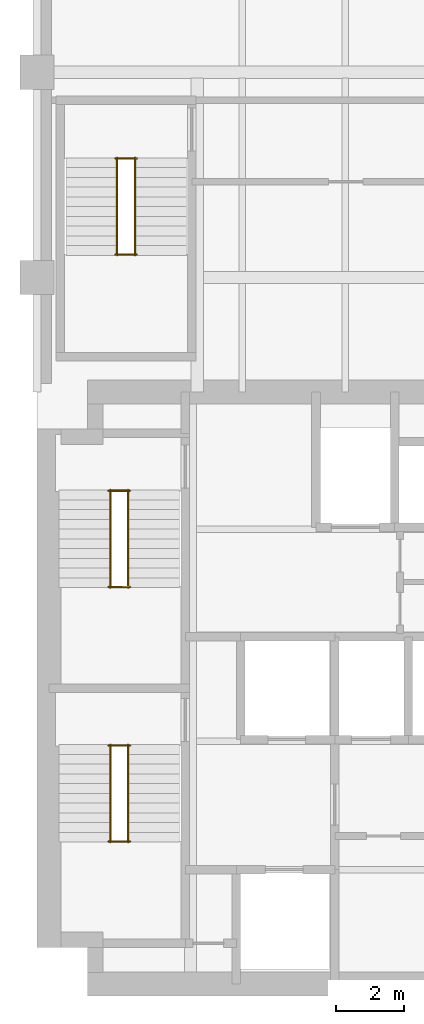
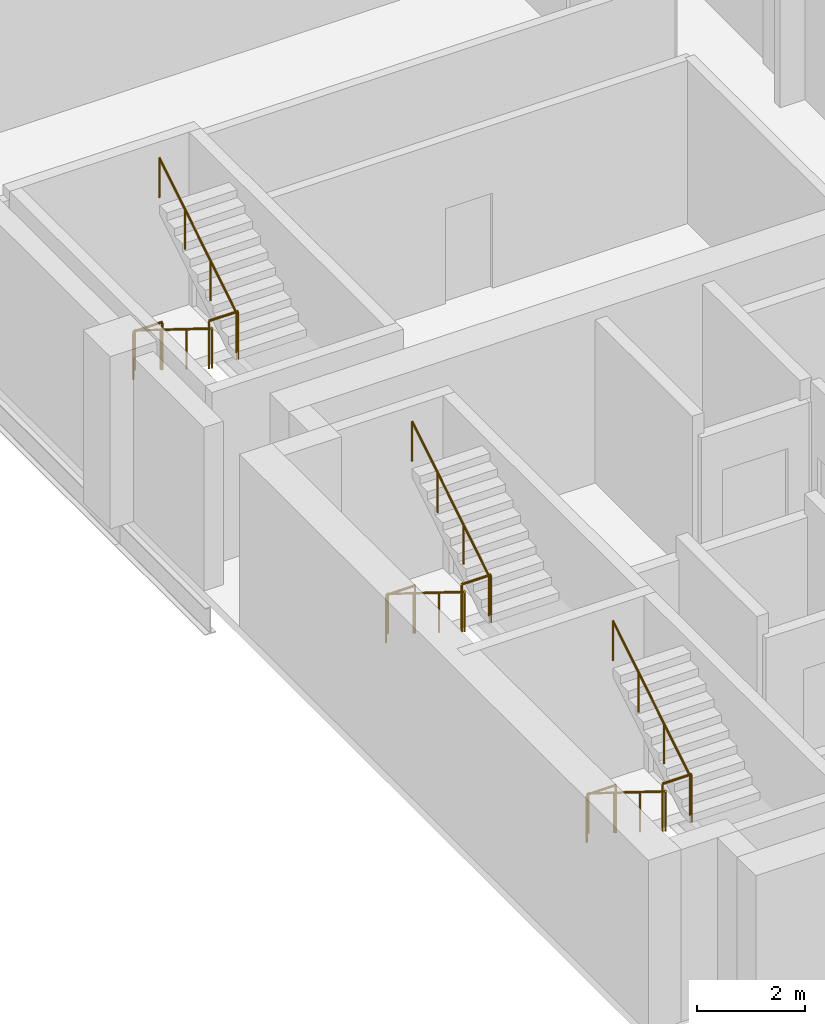
# One storey, part 7 of 7: 12 railings.
"""IFC4 building model written with IfcOpenShell, lengths in metres."""

from ifc_helpers import new_model, si_unit, direction, frame, origin, origin_2d, place, context, subcontext, project, spatial, circle, extrude, material, type_object, element, save


model = new_model("IFC4")

# Units and contexts
model_context = context("Model", 3, precision=1e-05, world=origin(), true_north=direction((0.0, 1.0)))
body_context = subcontext(model_context, "Body", "Model", "MODEL_VIEW")
ifc_project = project(units=[si_unit("LENGTHUNIT", "METRE"), si_unit("AREAUNIT", "SQUARE_METRE"), si_unit("VOLUMEUNIT", "CUBIC_METRE"), si_unit("PLANEANGLEUNIT", "RADIAN"), si_unit("MASSUNIT", "GRAM", prefix="KILO")], contexts=[model_context])

# Site, building, storey
site_placement = place(None, origin())
site = spatial("IfcSite", under=ifc_project, at=site_placement, CompositionType="ELEMENT")
building_placement = place(site_placement, origin())
building = spatial("IfcBuilding", under=site, at=building_placement, Name="Mawjdan Bourse Tower", CompositionType="ELEMENT")
storey_placement = place(building_placement, frame((0.0, 0.0, 136.199951171875)))
storey = spatial("IfcBuildingStorey", under=building, at=storey_placement, Name="L32", CompositionType="ELEMENT", Elevation=136.199951171875)

# Railings
ifc_material_1 = material(Name="Structural Steel S355", Category="steel")
railing_type_1 = type_object("IfcRailingType", Name="RLG-GRD-1100", PredefinedType="GUARDRAIL", material=ifc_material_1)
for number, where, name in (
    (1, (8.090087890625, 7.52001953125, 1.949951171875), "L32 ST1 Landing Guardrail GL-MID"),
    (2, (8.090087890625, 10.330078125, 0.0), "L32 ST1 Landing Guardrail GL-BOT"),
    (3, (8.090087890625, 14.9599609375, 1.949951171875), "L32 ST2 Landing Guardrail GL-MID"),
    (4, (8.090087890625, 17.77001953125, 0.0), "L32 ST2 Landing Guardrail GL-BOT"),
    (5, (8.2900390625, 24.669921875, 1.949951171875), "L32 ST3 Landing Guardrail GL-MID"),
    (6, (8.2900390625, 27.47998046875, 0.0), "L32 ST3 Landing Guardrail GL-BOT"),
):
    element("IfcRailing", number, at=place(storey_placement, frame(where)), inside=storey, type_object=railing_type_1, Name=name, PredefinedType="GUARDRAIL", context=body_context, shape_type="SweptSolid", body=[
        extrude(circle(Radius=0.02490234375, at=origin_2d()), frame((0.0, 0.0, 1.0751953125), z_axis=(1.0, 0.0, 0.0), x_axis=(0.0, 1.0, 0.0)), (0.0, 0.0, 1.0), 0.619873046875),
        extrude(circle(Radius=0.02099609375, at=origin_2d()), origin(), (0.0, 0.0, 1.0), 1.050048828125),
        extrude(circle(Radius=0.02099609375, at=origin_2d()), frame((0.619873046875, 0.0, 0.0)), (0.0, 0.0, 1.0), 1.050048828125),
    ])
ifc_material_2 = material(Name="Brushed Stainless Steel", Category="steel")
railing_type_2 = type_object("IfcRailingType", Name="RLG-HND-920", PredefinedType="HANDRAIL", material=ifc_material_2)
railing_1_placement = place(storey_placement, frame((8.139892578125, 10.35009765625, 0.17724609375)))
element("IfcRailing", 7, at=railing_1_placement, inside=storey, type_object=railing_type_2, Name="L32 ST1 Flight Handrail HR1", PredefinedType="HANDRAIL", context=body_context, shape_type="SweptSolid", body=[
    extrude(circle(Radius=0.0224609375, at=origin_2d()), frame((0.0, 0.0, 0.8974609375), z_axis=(0.0, -0.849148672731, 0.528153890072), x_axis=(1.0, 0.0, 0.0)), (0.0, 0.0, 1.0), 3.3564453125),
    extrude(circle(Radius=0.01904296875, at=origin_2d()), origin(), (0.0, 0.0, 1.0), 0.875),
    extrude(circle(Radius=0.01904296875, at=origin_2d()), frame((0.0, -0.949951171875, 0.5908203125)), (0.0, 0.0, 1.0), 0.875),
    extrude(circle(Radius=0.01904296875, at=origin_2d()), frame((0.0, -1.900146484375, 1.181884765625)), (0.0, 0.0, 1.0), 0.875),
    extrude(circle(Radius=0.01904296875, at=origin_2d()), frame((0.0, -2.85009765625, 1.772705078125)), (0.0, 0.0, 1.0), 0.875),
])
railing_2_placement = place(storey_placement, frame((8.659912109375, 7.5, 2.12744140625)))
element("IfcRailing", 8, at=railing_2_placement, inside=storey, type_object=railing_type_2, Name="L32 ST1 Flight Handrail HR2", PredefinedType="HANDRAIL", context=body_context, shape_type="SweptSolid", body=[
    extrude(circle(Radius=0.0224609375, at=origin_2d()), frame((0.0, 0.0, 0.8974609375), z_axis=(0.0, 0.849148672731, 0.528153890072), x_axis=(-1.0, 0.0, 0.0)), (0.0, 0.0, 1.0), 3.3564453125),
    extrude(circle(Radius=0.01904296875, at=origin_2d()), origin(), (0.0, 0.0, 1.0), 0.875),
    extrude(circle(Radius=0.01904296875, at=origin_2d()), frame((0.0, 0.949951171875, 0.5908203125)), (0.0, 0.0, 1.0), 0.875),
    extrude(circle(Radius=0.01904296875, at=origin_2d()), frame((0.0, 1.900146484375, 1.181884765625)), (0.0, 0.0, 1.0), 0.875),
    extrude(circle(Radius=0.01904296875, at=origin_2d()), frame((0.0, 2.85009765625, 1.772705078125)), (0.0, 0.0, 1.0), 0.875),
])
railing_3_placement = place(storey_placement, frame((8.139892578125, 17.7900390625, 0.17724609375)))
element("IfcRailing", 9, at=railing_3_placement, inside=storey, type_object=railing_type_2, Name="L32 ST2 Flight Handrail HR1", PredefinedType="HANDRAIL", context=body_context, shape_type="SweptSolid", body=[
    extrude(circle(Radius=0.0224609375, at=origin_2d()), frame((0.0, 0.0, 0.8974609375), z_axis=(0.0, -0.849148672731, 0.528153890072), x_axis=(1.0, 0.0, 0.0)), (0.0, 0.0, 1.0), 3.3564453125),
    extrude(circle(Radius=0.01904296875, at=origin_2d()), origin(), (0.0, 0.0, 1.0), 0.875),
    extrude(circle(Radius=0.01904296875, at=origin_2d()), frame((0.0, -0.949951171875, 0.5908203125)), (0.0, 0.0, 1.0), 0.875),
    extrude(circle(Radius=0.01904296875, at=origin_2d()), frame((0.0, -1.900146484375, 1.181884765625)), (0.0, 0.0, 1.0), 0.875),
    extrude(circle(Radius=0.01904296875, at=origin_2d()), frame((0.0, -2.85009765625, 1.772705078125)), (0.0, 0.0, 1.0), 0.875),
])
railing_4_placement = place(storey_placement, frame((8.659912109375, 14.93994140625, 2.12744140625)))
element("IfcRailing", 10, at=railing_4_placement, inside=storey, type_object=railing_type_2, Name="L32 ST2 Flight Handrail HR2", PredefinedType="HANDRAIL", context=body_context, shape_type="SweptSolid", body=[
    extrude(circle(Radius=0.0224609375, at=origin_2d()), frame((0.0, 0.0, 0.8974609375), z_axis=(0.0, 0.849148672731, 0.528153890072), x_axis=(-1.0, 0.0, 0.0)), (0.0, 0.0, 1.0), 3.3564453125),
    extrude(circle(Radius=0.01904296875, at=origin_2d()), origin(), (0.0, 0.0, 1.0), 0.875),
    extrude(circle(Radius=0.01904296875, at=origin_2d()), frame((0.0, 0.949951171875, 0.5908203125)), (0.0, 0.0, 1.0), 0.875),
    extrude(circle(Radius=0.01904296875, at=origin_2d()), frame((0.0, 1.900146484375, 1.181884765625)), (0.0, 0.0, 1.0), 0.875),
    extrude(circle(Radius=0.01904296875, at=origin_2d()), frame((0.0, 2.85009765625, 1.772705078125)), (0.0, 0.0, 1.0), 0.875),
])
railing_5_placement = place(storey_placement, frame((8.340087890625, 27.5, 0.17724609375)))
element("IfcRailing", 11, at=railing_5_placement, inside=storey, type_object=railing_type_2, Name="L32 ST3 Flight Handrail HR1", PredefinedType="HANDRAIL", context=body_context, shape_type="SweptSolid", body=[
    extrude(circle(Radius=0.0224609375, at=origin_2d()), frame((0.0, 0.0, 0.8974609375), z_axis=(0.0, -0.849148672731, 0.528153890072), x_axis=(1.0, 0.0, 0.0)), (0.0, 0.0, 1.0), 3.3564453125),
    extrude(circle(Radius=0.01904296875, at=origin_2d()), origin(), (0.0, 0.0, 1.0), 0.875),
    extrude(circle(Radius=0.01904296875, at=origin_2d()), frame((0.0, -0.949951171875, 0.5908203125)), (0.0, 0.0, 1.0), 0.875),
    extrude(circle(Radius=0.01904296875, at=origin_2d()), frame((0.0, -1.900146484375, 1.181884765625)), (0.0, 0.0, 1.0), 0.875),
    extrude(circle(Radius=0.01904296875, at=origin_2d()), frame((0.0, -2.85009765625, 1.772705078125)), (0.0, 0.0, 1.0), 0.875),
])
railing_6_placement = place(storey_placement, frame((8.860107421875, 24.64990234375, 2.12744140625)))
element("IfcRailing", 12, at=railing_6_placement, inside=storey, type_object=railing_type_2, Name="L32 ST3 Flight Handrail HR2", PredefinedType="HANDRAIL", context=body_context, shape_type="SweptSolid", body=[
    extrude(circle(Radius=0.0224609375, at=origin_2d()), frame((0.0, 0.0, 0.8974609375), z_axis=(0.0, 0.849148672731, 0.528153890072), x_axis=(-1.0, 0.0, 0.0)), (0.0, 0.0, 1.0), 3.3564453125),
    extrude(circle(Radius=0.01904296875, at=origin_2d()), origin(), (0.0, 0.0, 1.0), 0.875),
    extrude(circle(Radius=0.01904296875, at=origin_2d()), frame((0.0, 0.949951171875, 0.5908203125)), (0.0, 0.0, 1.0), 0.875),
    extrude(circle(Radius=0.01904296875, at=origin_2d()), frame((0.0, 1.900146484375, 1.181884765625)), (0.0, 0.0, 1.0), 0.875),
    extrude(circle(Radius=0.01904296875, at=origin_2d()), frame((0.0, 2.85009765625, 1.772705078125)), (0.0, 0.0, 1.0), 0.875),
])

save(model, "model.ifc")
